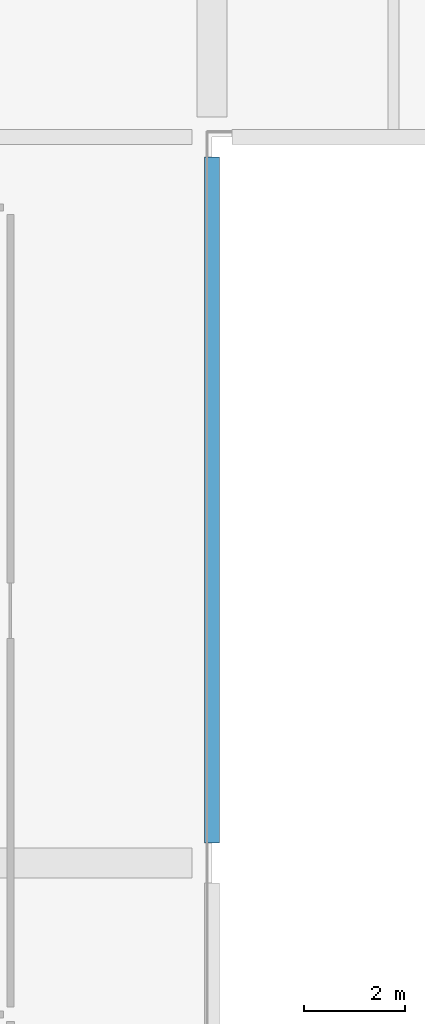
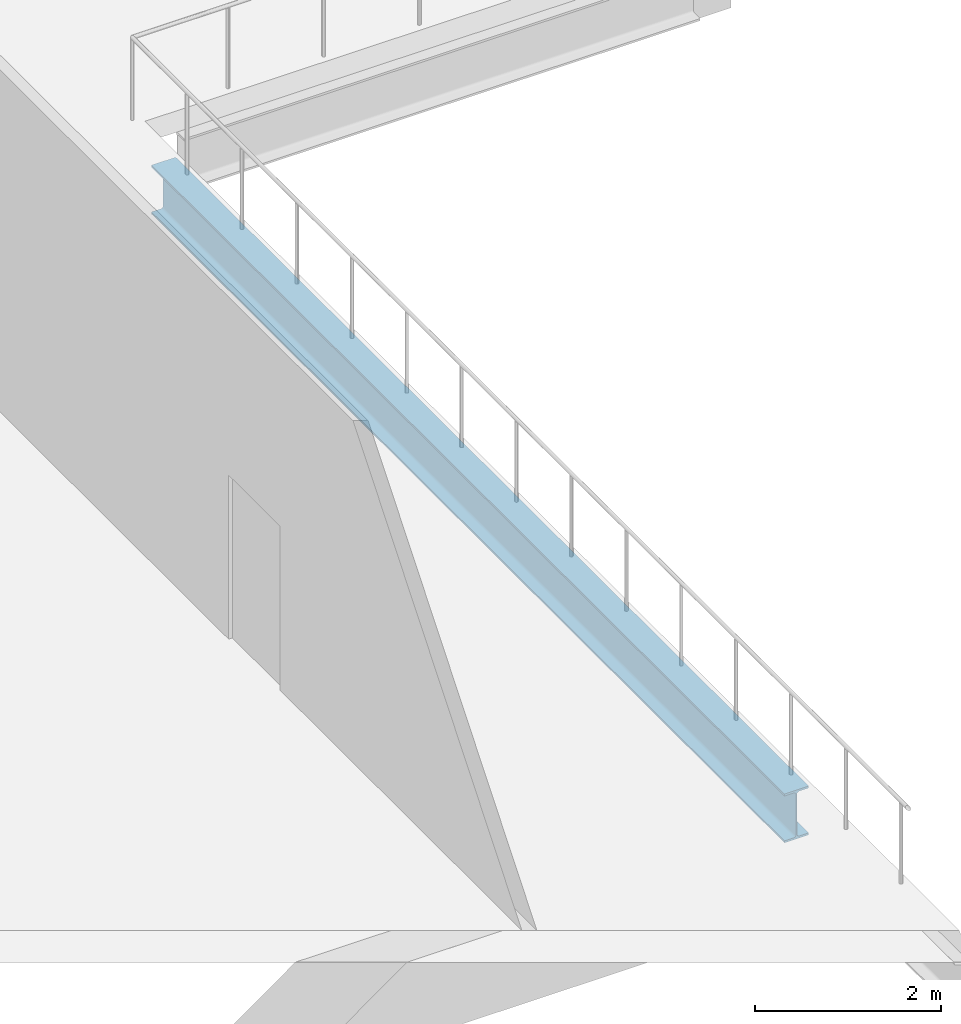
# One storey, part 62 of 220: 1 beam.
"""IFC4 building model written with IfcOpenShell, lengths in metres."""

from ifc_helpers import new_model, si_unit, direction, frame, origin, origin_2d, place, context, subcontext, project, spatial, i_section, extrude, material, material_profile, profile_set, type_object, element, save


model = new_model("IFC4")

# Units and contexts
model_context = context("Model", 3, precision=1e-05, world=origin(), true_north=direction((0.0, 1.0)))
body_context = subcontext(model_context, "Body", "Model", "MODEL_VIEW")
ifc_project = project(units=[si_unit("LENGTHUNIT", "METRE"), si_unit("AREAUNIT", "SQUARE_METRE"), si_unit("VOLUMEUNIT", "CUBIC_METRE"), si_unit("PLANEANGLEUNIT", "RADIAN"), si_unit("MASSUNIT", "GRAM", prefix="KILO")], contexts=[model_context])

# Site, building, storey
site_placement = place(None, origin())
site = spatial("IfcSite", under=ifc_project, at=site_placement, CompositionType="ELEMENT")
building_placement = place(site_placement, origin())
building = spatial("IfcBuilding", under=site, at=building_placement, Name="Cendralis Lancet Convention Centre", CompositionType="ELEMENT")
storey_placement = place(building_placement, frame((0.0, 0.0, 5.39990234375)))
storey = spatial("IfcBuildingStorey", under=building, at=storey_placement, Name="L01", CompositionType="ELEMENT", Elevation=5.39990234375)

# Beam
ifc_material = material(Name="Steel S355", Category="steel")
ifc_material_profile = material_profile(ifc_material, i_section(OverallWidth=0.300048828125, OverallDepth=0.639892578125, WebThickness=0.013427734375, FlangeThickness=0.02587890625, FilletRadius=0.027099609375, at=origin_2d()), Name="HEA 650")
ifc_profile_set = profile_set([ifc_material_profile], Name="Steel S355")
beam_type = type_object("IfcBeamType", Name="STR-BM-SG09", PredefinedType="BEAM", material=ifc_profile_set)
beam_placement = place(storey_placement, frame((14.39990234375, 108.39990234375, -0.599853515625), z_axis=(0.0, 1.0, 0.0), x_axis=(-1.0, 0.0, 0.0)))
element("IfcBeam", 1, at=beam_placement, inside=storey, type_object=beam_type, Name="L01 Beam SG09 #1284", PredefinedType="BEAM", context=body_context, shape_type="SweptSolid", body=[
    extrude(i_section(OverallWidth=0.300048828125, OverallDepth=0.639892578125, WebThickness=0.013427734375, FlangeThickness=0.02587890625, FilletRadius=0.027099609375, at=origin_2d()), origin(), (0.0, 0.0, 1.0), 13.60009765625),
])

save(model, "model.ifc")
